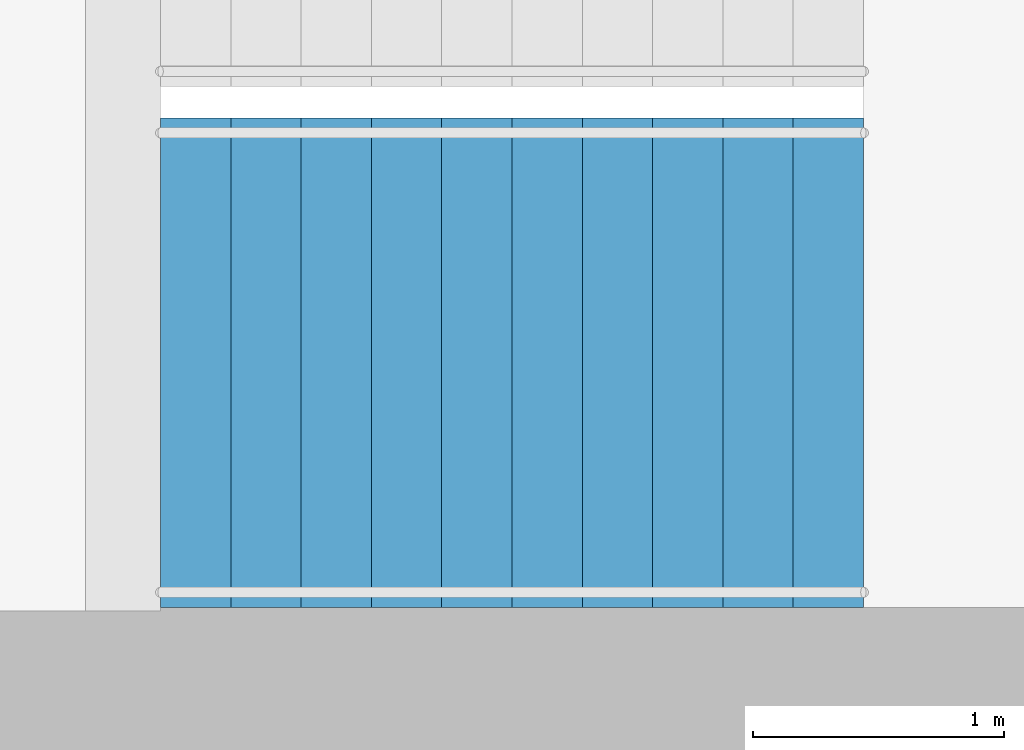
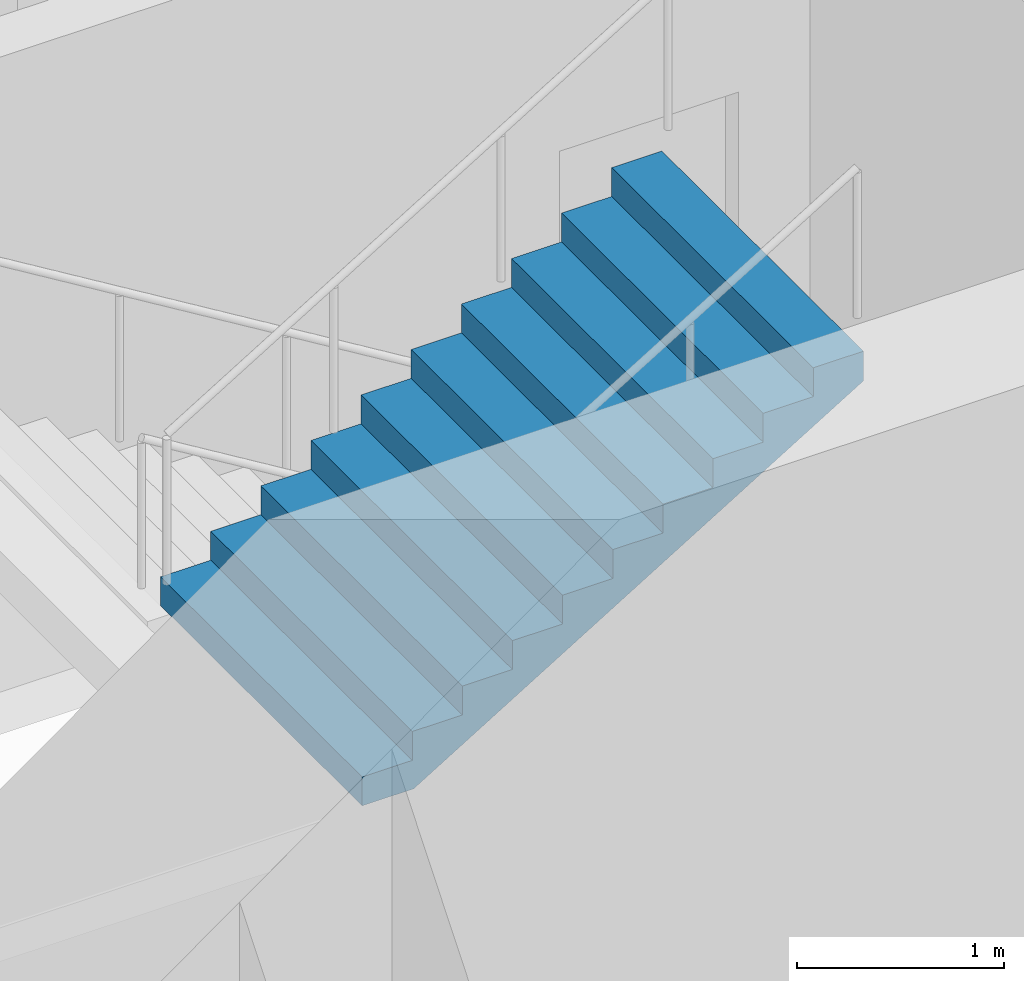
# One storey, part 20 of 22: 1 stair flight, 1 element without a shape of its own.
"""IFC4 building model written with IfcOpenShell, lengths in metres."""

from ifc_helpers import new_model, si_unit, direction, frame, origin, place, context, subcontext, project, spatial, triangles, material, type_object, element, aggregate, save


model = new_model("IFC4")

# Units and contexts
model_context = context("Model", 3, precision=1e-05, world=origin(), true_north=direction((0.0, 1.0)))
body_context = subcontext(model_context, "Body", "Model", "MODEL_VIEW")
ifc_project = project(units=[si_unit("LENGTHUNIT", "METRE"), si_unit("AREAUNIT", "SQUARE_METRE"), si_unit("VOLUMEUNIT", "CUBIC_METRE"), si_unit("PLANEANGLEUNIT", "RADIAN"), si_unit("MASSUNIT", "GRAM", prefix="KILO")], contexts=[model_context])

# Site, building, storey
site_placement = place(None, origin())
site = spatial("IfcSite", under=ifc_project, at=site_placement, CompositionType="ELEMENT")
building_placement = place(site_placement, origin())
building = spatial("IfcBuilding", under=site, at=building_placement, Name="Orbita Commons", CompositionType="ELEMENT")
storey_placement = place(building_placement, frame((0.0, 0.0, 186.10009765625)))
storey = spatial("IfcBuildingStorey", under=building, at=storey_placement, Name="L46", CompositionType="ELEMENT", Elevation=186.10009765625)

# Stair, stair flight
ifc_material_1 = material(Name="Precast concrete C40/50", Category="concrete")
stair_type = type_object("IfcStairType", Name="Exit stair S2 2 flights 11 risers 170", PredefinedType="HALF_TURN_STAIR", material=ifc_material_1)
stair_placement = place(storey_placement, origin())
stair = element("IfcStair", 1, at=stair_placement, inside=storey, type_object=stair_type, Name="Exit stair S2 L46", PredefinedType="HALF_TURN_STAIR")
ifc_material_2 = material(Name="Precast concrete C40/50", Category="concrete")
stair_flight_type = type_object("IfcStairFlightType", Name="Stair flight 11 risers 170 x 280", PredefinedType="STRAIGHT", material=ifc_material_2)
stair_flight_placement = place(storey_placement, frame((60.75, 27.199951171875, 1.875), z_axis=(0.0, 0.0, 1.0), x_axis=(1.0, 0.0, 0.0)))
stair_flight = element("IfcStairFlight", 2, at=stair_flight_placement, type_object=stair_flight_type, Name="S2 flight 2", NumberOfRisers=11, NumberOfTreads=10, PredefinedType="STRAIGHT", RiserHeight=0.170454545, TreadLength=0.28, context=body_context, shape_type="Tessellation", body=[
    triangles([(0.0, 0.974976, 0.0), (0.0, 0.974976, 0.021307), (0.0, 0.81248, 0.021307), (0.0, 0.81248, 0.0), (0.0, 0.649984, 0.021307), (0.0, 0.649984, 0.0), (0.0, 0.487488, 0.021307), (0.0, 0.487488, 0.0), (0.0, 0.324992, 0.021307), (0.0, 0.324992, 0.0), (0.0, 0.162496, 0.021307), (0.0, 0.162496, 0.0), (0.0, 0.0, 0.021307), (0.0, 0.0, 0.0), (0.0, -0.162496, 0.021307), (0.0, -0.162496, 0.0), (0.0, -0.324992, 0.021307), (0.0, -0.324992, 0.0), (0.0, -0.487488, 0.021307), (0.0, -0.487488, 0.0), (0.0, -0.649984, 0.021307), (0.0, -0.649984, 0.0), (0.0, -0.81248, 0.021307), (0.0, -0.81248, 0.0), (0.0, -0.974976, 0.021307), (0.0, -0.974976, 0.0), (0.0, 0.974976, 0.042614), (0.0, 0.81248, 0.042614), (0.0, 0.649984, 0.042614), (0.0, 0.487488, 0.042614), (0.0, 0.324992, 0.042614), (0.0, 0.162496, 0.042614), (0.0, 0.0, 0.042614), (0.0, -0.162496, 0.042614), (0.0, -0.324992, 0.042614), (0.0, -0.487488, 0.042614), (0.0, -0.649984, 0.042614), (0.0, -0.81248, 0.042614), (0.0, -0.974976, 0.042614), (0.0, 0.974976, 0.06392), (0.0, 0.81248, 0.06392), (0.0, 0.649984, 0.06392), (0.0, 0.487488, 0.06392), (0.0, 0.324992, 0.06392), (0.0, 0.162496, 0.06392), (0.0, 0.0, 0.06392), (0.0, -0.162496, 0.06392), (0.0, -0.324992, 0.06392), (0.0, -0.487488, 0.06392), (0.0, -0.649984, 0.06392), (0.0, -0.81248, 0.06392), (0.0, -0.974976, 0.06392), (0.0, 0.974976, 0.085227), (0.0, 0.81248, 0.085227), (0.0, 0.649984, 0.085227), (0.0, 0.487488, 0.085227), (0.0, 0.324992, 0.085227), (0.0, 0.162496, 0.085227), (0.0, 0.0, 0.085227), (0.0, -0.162496, 0.085227), (0.0, -0.324992, 0.085227), (0.0, -0.487488, 0.085227), (0.0, -0.649984, 0.085227), (0.0, -0.81248, 0.085227), (0.0, -0.974976, 0.085227), (0.0, 0.974976, 0.106534), (0.0, 0.81248, 0.106534), (0.0, 0.649984, 0.106534), (0.0, 0.487488, 0.106534), (0.0, 0.324992, 0.106534), (0.0, 0.162496, 0.106534), (0.0, 0.0, 0.106534), (0.0, -0.162496, 0.106534), (0.0, -0.324992, 0.106534), (0.0, -0.487488, 0.106534), (0.0, -0.649984, 0.106534), (0.0, -0.81248, 0.106534), (0.0, -0.974976, 0.106534), (0.0, 0.974976, 0.127841), (0.0, 0.81248, 0.127841), (0.0, 0.649984, 0.127841), (0.0, 0.487488, 0.127841), (0.0, 0.324992, 0.127841), (0.0, 0.162496, 0.127841), (0.0, 0.0, 0.127841), (0.0, -0.162496, 0.127841), (0.0, -0.324992, 0.127841), (0.0, -0.487488, 0.127841), (0.0, -0.649984, 0.127841), (0.0, -0.81248, 0.127841), (0.0, -0.974976, 0.127841), (0.0, 0.974976, 0.149148), (0.0, 0.81248, 0.149148), (0.0, 0.649984, 0.149148), (0.0, 0.487488, 0.149148), (0.0, 0.324992, 0.149148), (0.0, 0.162496, 0.149148), (0.0, 0.0, 0.149148), (0.0, -0.162496, 0.149148), (0.0, -0.324992, 0.149148), (0.0, -0.487488, 0.149148), (0.0, -0.649984, 0.149148), (0.0, -0.81248, 0.149148), (0.0, -0.974976, 0.149148), (0.0, 0.974976, 0.170455), (0.0, 0.81248, 0.170455), (0.0, 0.649984, 0.170455), (0.0, 0.487488, 0.170455), (0.0, 0.324992, 0.170455), (0.0, 0.162496, 0.170455), (0.0, 0.0, 0.170455), (0.0, -0.162496, 0.170455), (0.0, -0.324992, 0.170455), (0.0, -0.487488, 0.170455), (0.0, -0.649984, 0.170455), (0.0, -0.81248, 0.170455), (0.0, -0.974976, 0.170455), (0.28, 0.974976, 0.170455), (0.28, 0.81248, 0.170455), (0.28, 0.649984, 0.170455), (0.28, 0.487488, 0.170455), (0.28, 0.324992, 0.170455), (0.28, 0.162496, 0.170455), (0.28, 0.0, 0.170455), (0.28, -0.162496, 0.170455), (0.28, -0.324992, 0.170455), (0.28, -0.487488, 0.170455), (0.28, -0.649984, 0.170455), (0.28, -0.81248, 0.170455), (0.28, -0.974976, 0.170455), (0.28, 0.974976, 0.340909), (0.28, 0.81248, 0.340909), (0.28, 0.649984, 0.340909), (0.28, 0.487488, 0.340909), (0.28, 0.324992, 0.340909), (0.28, 0.162496, 0.340909), (0.28, 0.0, 0.340909), (0.28, -0.162496, 0.340909), (0.28, -0.324992, 0.340909), (0.28, -0.487488, 0.340909), (0.28, -0.649984, 0.340909), (0.28, -0.81248, 0.340909), (0.28, -0.974976, 0.340909), (0.56, 0.974976, 0.340909), (0.56, 0.81248, 0.340909), (0.56, 0.649984, 0.340909), (0.56, 0.487488, 0.340909), (0.56, 0.324992, 0.340909), (0.56, 0.162496, 0.340909), (0.56, 0.0, 0.340909), (0.56, -0.162496, 0.340909), (0.56, -0.324992, 0.340909), (0.56, -0.487488, 0.340909), (0.56, -0.649984, 0.340909), (0.56, -0.81248, 0.340909), (0.56, -0.974976, 0.340909), (0.56, 0.974976, 0.511364), (0.56, 0.81248, 0.511364), (0.56, 0.649984, 0.511364), (0.56, 0.487488, 0.511364), (0.56, 0.324992, 0.511364), (0.56, 0.162496, 0.511364), (0.56, 0.0, 0.511364), (0.56, -0.162496, 0.511364), (0.56, -0.324992, 0.511364), (0.56, -0.487488, 0.511364), (0.56, -0.649984, 0.511364), (0.56, -0.81248, 0.511364), (0.56, -0.974976, 0.511364), (0.84, 0.974976, 0.511364), (0.84, 0.81248, 0.511364), (0.84, 0.649984, 0.511364), (0.84, 0.487488, 0.511364), (0.84, 0.324992, 0.511364), (0.84, 0.162496, 0.511364), (0.84, 0.0, 0.511364), (0.84, -0.162496, 0.511364), (0.84, -0.324992, 0.511364), (0.84, -0.487488, 0.511364), (0.84, -0.649984, 0.511364), (0.84, -0.81248, 0.511364), (0.84, -0.974976, 0.511364), (0.84, 0.974976, 0.681818), (0.84, 0.81248, 0.681818), (0.84, 0.649984, 0.681818), (0.84, 0.487488, 0.681818), (0.84, 0.324992, 0.681818), (0.84, 0.162496, 0.681818), (0.84, 0.0, 0.681818), (0.84, -0.162496, 0.681818), (0.84, -0.324992, 0.681818), (0.84, -0.487488, 0.681818), (0.84, -0.649984, 0.681818), (0.84, -0.81248, 0.681818), (0.84, -0.974976, 0.681818), (1.12, 0.974976, 0.681818), (1.12, 0.81248, 0.681818), (1.12, 0.649984, 0.681818), (1.12, 0.487488, 0.681818), (1.12, 0.324992, 0.681818), (1.12, 0.162496, 0.681818), (1.12, 0.0, 0.681818), (1.12, -0.162496, 0.681818), (1.12, -0.324992, 0.681818), (1.12, -0.487488, 0.681818), (1.12, -0.649984, 0.681818), (1.12, -0.81248, 0.681818), (1.12, -0.974976, 0.681818), (1.12, 0.974976, 0.852273), (1.12, 0.81248, 0.852273), (1.12, 0.649984, 0.852273), (1.12, 0.487488, 0.852273), (1.12, 0.324992, 0.852273), (1.12, 0.162496, 0.852273), (1.12, 0.0, 0.852273), (1.12, -0.162496, 0.852273), (1.12, -0.324992, 0.852273), (1.12, -0.487488, 0.852273), (1.12, -0.649984, 0.852273), (1.12, -0.81248, 0.852273), (1.12, -0.974976, 0.852273), (1.4, 0.974976, 0.852273), (1.4, 0.81248, 0.852273), (1.4, 0.649984, 0.852273), (1.4, 0.487488, 0.852273), (1.4, 0.324992, 0.852273), (1.4, 0.162496, 0.852273), (1.4, 0.0, 0.852273), (1.4, -0.162496, 0.852273), (1.4, -0.324992, 0.852273), (1.4, -0.487488, 0.852273), (1.4, -0.649984, 0.852273), (1.4, -0.81248, 0.852273), (1.4, -0.974976, 0.852273), (1.4, 0.974976, 1.022727), (1.4, 0.81248, 1.022727), (1.4, 0.649984, 1.022727), (1.4, 0.487488, 1.022727), (1.4, 0.324992, 1.022727), (1.4, 0.162496, 1.022727), (1.4, 0.0, 1.022727), (1.4, -0.162496, 1.022727), (1.4, -0.324992, 1.022727), (1.4, -0.487488, 1.022727), (1.4, -0.649984, 1.022727), (1.4, -0.81248, 1.022727), (1.4, -0.974976, 1.022727), (1.68, 0.974976, 1.022727), (1.68, 0.81248, 1.022727), (1.68, 0.649984, 1.022727), (1.68, 0.487488, 1.022727), (1.68, 0.324992, 1.022727), (1.68, 0.162496, 1.022727), (1.68, 0.0, 1.022727), (1.68, -0.162496, 1.022727), (1.68, -0.324992, 1.022727), (1.68, -0.487488, 1.022727), (1.68, -0.649984, 1.022727), (1.68, -0.81248, 1.022727), (1.68, -0.974976, 1.022727), (1.68, 0.974976, 1.193182), (1.68, 0.81248, 1.193182), (1.68, 0.649984, 1.193182), (1.68, 0.487488, 1.193182), (1.68, 0.324992, 1.193182), (1.68, 0.162496, 1.193182), (1.68, 0.0, 1.193182), (1.68, -0.162496, 1.193182), (1.68, -0.324992, 1.193182), (1.68, -0.487488, 1.193182), (1.68, -0.649984, 1.193182), (1.68, -0.81248, 1.193182), (1.68, -0.974976, 1.193182), (1.96, 0.974976, 1.193182), (1.96, 0.81248, 1.193182), (1.96, 0.649984, 1.193182), (1.96, 0.487488, 1.193182), (1.96, 0.324992, 1.193182), (1.96, 0.162496, 1.193182), (1.96, 0.0, 1.193182), (1.96, -0.162496, 1.193182), (1.96, -0.324992, 1.193182), (1.96, -0.487488, 1.193182), (1.96, -0.649984, 1.193182), (1.96, -0.81248, 1.193182), (1.96, -0.974976, 1.193182), (1.96, 0.974976, 1.363636), (1.96, 0.81248, 1.363636), (1.96, 0.649984, 1.363636), (1.96, 0.487488, 1.363636), (1.96, 0.324992, 1.363636), (1.96, 0.162496, 1.363636), (1.96, 0.0, 1.363636), (1.96, -0.162496, 1.363636), (1.96, -0.324992, 1.363636), (1.96, -0.487488, 1.363636), (1.96, -0.649984, 1.363636), (1.96, -0.81248, 1.363636), (1.96, -0.974976, 1.363636), (2.24, 0.974976, 1.363636), (2.24, 0.81248, 1.363636), (2.24, 0.649984, 1.363636), (2.24, 0.487488, 1.363636), (2.24, 0.324992, 1.363636), (2.24, 0.162496, 1.363636), (2.24, 0.0, 1.363636), (2.24, -0.162496, 1.363636), (2.24, -0.324992, 1.363636), (2.24, -0.487488, 1.363636), (2.24, -0.649984, 1.363636), (2.24, -0.81248, 1.363636), (2.24, -0.974976, 1.363636), (2.24, 0.974976, 1.534091), (2.24, 0.81248, 1.534091), (2.24, 0.649984, 1.534091), (2.24, 0.487488, 1.534091), (2.24, 0.324992, 1.534091), (2.24, 0.162496, 1.534091), (2.24, 0.0, 1.534091), (2.24, -0.162496, 1.534091), (2.24, -0.324992, 1.534091), (2.24, -0.487488, 1.534091), (2.24, -0.649984, 1.534091), (2.24, -0.81248, 1.534091), (2.24, -0.974976, 1.534091), (2.52, 0.974976, 1.534091), (2.52, 0.81248, 1.534091), (2.52, 0.649984, 1.534091), (2.52, 0.487488, 1.534091), (2.52, 0.324992, 1.534091), (2.52, 0.162496, 1.534091), (2.52, 0.0, 1.534091), (2.52, -0.162496, 1.534091), (2.52, -0.324992, 1.534091), (2.52, -0.487488, 1.534091), (2.52, -0.649984, 1.534091), (2.52, -0.81248, 1.534091), (2.52, -0.974976, 1.534091), (2.52, 0.974976, 1.704545), (2.52, 0.81248, 1.704545), (2.52, 0.649984, 1.704545), (2.52, 0.487488, 1.704545), (2.52, 0.324992, 1.704545), (2.52, 0.162496, 1.704545), (2.52, 0.0, 1.704545), (2.52, -0.162496, 1.704545), (2.52, -0.324992, 1.704545), (2.52, -0.487488, 1.704545), (2.52, -0.649984, 1.704545), (2.52, -0.81248, 1.704545), (2.52, -0.974976, 1.704545), (2.8, 0.974976, 1.704545), (2.8, 0.81248, 1.704545), (2.8, 0.649984, 1.704545), (2.8, 0.487488, 1.704545), (2.8, 0.324992, 1.704545), (2.8, 0.162496, 1.704545), (2.8, 0.0, 1.704545), (2.8, -0.162496, 1.704545), (2.8, -0.324992, 1.704545), (2.8, -0.487488, 1.704545), (2.8, -0.649984, 1.704545), (2.8, -0.81248, 1.704545), (2.8, -0.974976, 1.704545), (2.8, 0.974976, 1.682609), (2.8, 0.81248, 1.682609), (2.8, 0.649984, 1.682609), (2.8, 0.487488, 1.682609), (2.8, 0.324992, 1.682609), (2.8, 0.162496, 1.682609), (2.8, 0.0, 1.682609), (2.8, -0.162496, 1.682609), (2.8, -0.324992, 1.682609), (2.8, -0.487488, 1.682609), (2.8, -0.649984, 1.682609), (2.8, -0.81248, 1.682609), (2.8, -0.974976, 1.682609), (2.8, 0.974976, 1.660672), (2.8, 0.81248, 1.660672), (2.8, 0.649984, 1.660672), (2.8, 0.487488, 1.660672), (2.8, 0.324992, 1.660672), (2.8, 0.162496, 1.660672), (2.8, 0.0, 1.660672), (2.8, -0.162496, 1.660672), (2.8, -0.324992, 1.660672), (2.8, -0.487488, 1.660672), (2.8, -0.649984, 1.660672), (2.8, -0.81248, 1.660672), (2.8, -0.974976, 1.660672), (2.8, 0.974976, 1.638735), (2.8, 0.81248, 1.638735), (2.8, 0.649984, 1.638735), (2.8, 0.487488, 1.638735), (2.8, 0.324992, 1.638735), (2.8, 0.162496, 1.638735), (2.8, 0.0, 1.638735), (2.8, -0.162496, 1.638735), (2.8, -0.324992, 1.638735), (2.8, -0.487488, 1.638735), (2.8, -0.649984, 1.638735), (2.8, -0.81248, 1.638735), (2.8, -0.974976, 1.638735), (2.8, 0.974976, 1.616798), (2.8, 0.81248, 1.616798), (2.8, 0.649984, 1.616798), (2.8, 0.487488, 1.616798), (2.8, 0.324992, 1.616798), (2.8, 0.162496, 1.616798), (2.8, 0.0, 1.616798), (2.8, -0.162496, 1.616798), (2.8, -0.324992, 1.616798), (2.8, -0.487488, 1.616798), (2.8, -0.649984, 1.616798), (2.8, -0.81248, 1.616798), (2.8, -0.974976, 1.616798), (2.8, 0.974976, 1.594861), (2.8, 0.81248, 1.594861), (2.8, 0.649984, 1.594861), (2.8, 0.487488, 1.594861), (2.8, 0.324992, 1.594861), (2.8, 0.162496, 1.594861), (2.8, 0.0, 1.594861), (2.8, -0.162496, 1.594861), (2.8, -0.324992, 1.594861), (2.8, -0.487488, 1.594861), (2.8, -0.649984, 1.594861), (2.8, -0.81248, 1.594861), (2.8, -0.974976, 1.594861), (2.8, 0.974976, 1.572925), (2.8, 0.81248, 1.572925), (2.8, 0.649984, 1.572925), (2.8, 0.487488, 1.572925), (2.8, 0.324992, 1.572925), (2.8, 0.162496, 1.572925), (2.8, 0.0, 1.572925), (2.8, -0.162496, 1.572925), (2.8, -0.324992, 1.572925), (2.8, -0.487488, 1.572925), (2.8, -0.649984, 1.572925), (2.8, -0.81248, 1.572925), (2.8, -0.974976, 1.572925), (2.8, 0.974976, 1.550988), (2.8, 0.81248, 1.550988), (2.8, 0.649984, 1.550988), (2.8, 0.487488, 1.550988), (2.8, 0.324992, 1.550988), (2.8, 0.162496, 1.550988), (2.8, 0.0, 1.550988), (2.8, -0.162496, 1.550988), (2.8, -0.324992, 1.550988), (2.8, -0.487488, 1.550988), (2.8, -0.649984, 1.550988), (2.8, -0.81248, 1.550988), (2.8, -0.974976, 1.550988), (2.8, 0.974976, 1.529051), (2.8, 0.81248, 1.529051), (2.8, 0.649984, 1.529051), (2.8, 0.487488, 1.529051), (2.8, 0.324992, 1.529051), (2.8, 0.162496, 1.529051), (2.8, 0.0, 1.529051), (2.8, -0.162496, 1.529051), (2.8, -0.324992, 1.529051), (2.8, -0.487488, 1.529051), (2.8, -0.649984, 1.529051), (2.8, -0.81248, 1.529051), (2.8, -0.974976, 1.529051), (0.288279, 0.974976, 0.0), (0.288279, 0.81248, 0.0), (0.288279, 0.649984, 0.0), (0.288279, 0.487488, 0.0), (0.288279, 0.324992, 0.0), (0.288279, 0.162496, 0.0), (0.288279, 0.0, 0.0), (0.288279, -0.162496, 0.0), (0.288279, -0.324992, 0.0), (0.288279, -0.487488, 0.0), (0.288279, -0.649984, 0.0), (0.288279, -0.81248, 0.0), (0.288279, -0.974976, 0.0)], [[3, 2, 1], [4, 3, 1], [5, 3, 4], [6, 5, 4], [7, 5, 6], [8, 7, 6], [9, 7, 8], [10, 9, 8], [11, 9, 10], [12, 11, 10], [13, 11, 12], [14, 13, 12], [15, 13, 14], [16, 15, 14], [17, 15, 16], [18, 17, 16], [19, 17, 18], [20, 19, 18], [21, 19, 20], [22, 21, 20], [23, 21, 22], [24, 23, 22], [25, 23, 24], [26, 25, 24], [28, 27, 2], [3, 28, 2], [29, 28, 3], [5, 29, 3], [30, 29, 5], [7, 30, 5], [31, 30, 7], [9, 31, 7], [32, 31, 9], [11, 32, 9], [33, 32, 11], [13, 33, 11], [34, 33, 13], [15, 34, 13], [35, 34, 15], [17, 35, 15], [36, 35, 17], [19, 36, 17], [37, 36, 19], [21, 37, 19], [38, 37, 21], [23, 38, 21], [39, 38, 23], [25, 39, 23], [41, 40, 27], [28, 41, 27], [42, 41, 28], [29, 42, 28], [43, 42, 29], [30, 43, 29], [44, 43, 30], [31, 44, 30], [45, 44, 31], [32, 45, 31], [46, 45, 32], [33, 46, 32], [47, 46, 33], [34, 47, 33], [48, 47, 34], [35, 48, 34], [49, 48, 35], [36, 49, 35], [50, 49, 36], [37, 50, 36], [51, 50, 37], [38, 51, 37], [52, 51, 38], [39, 52, 38], [54, 53, 40], [41, 54, 40], [55, 54, 41], [42, 55, 41], [56, 55, 42], [43, 56, 42], [57, 56, 43], [44, 57, 43], [58, 57, 44], [45, 58, 44], [59, 58, 45], [46, 59, 45], [60, 59, 46], [47, 60, 46], [61, 60, 47], [48, 61, 47], [62, 61, 48], [49, 62, 48], [63, 62, 49], [50, 63, 49], [64, 63, 50], [51, 64, 50], [65, 64, 51], [52, 65, 51], [67, 66, 53], [54, 67, 53], [68, 67, 54], [55, 68, 54], [69, 68, 55], [56, 69, 55], [70, 69, 56], [57, 70, 56], [71, 70, 57], [58, 71, 57], [72, 71, 58], [59, 72, 58], [73, 72, 59], [60, 73, 59], [74, 73, 60], [61, 74, 60], [75, 74, 61], [62, 75, 61], [76, 75, 62], [63, 76, 62], [77, 76, 63], [64, 77, 63], [78, 77, 64], [65, 78, 64], [80, 79, 66], [67, 80, 66], [81, 80, 67], [68, 81, 67], [82, 81, 68], [69, 82, 68], [83, 82, 69], [70, 83, 69], [84, 83, 70], [71, 84, 70], [85, 84, 71], [72, 85, 71], [86, 85, 72], [73, 86, 72], [87, 86, 73], [74, 87, 73], [88, 87, 74], [75, 88, 74], [89, 88, 75], [76, 89, 75], [90, 89, 76], [77, 90, 76], [91, 90, 77], [78, 91, 77], [93, 92, 79], [80, 93, 79], [94, 93, 80], [81, 94, 80], [95, 94, 81], [82, 95, 81], [96, 95, 82], [83, 96, 82], [97, 96, 83], [84, 97, 83], [98, 97, 84], [85, 98, 84], [99, 98, 85], [86, 99, 85], [100, 99, 86], [87, 100, 86], [101, 100, 87], [88, 101, 87], [102, 101, 88], [89, 102, 88], [103, 102, 89], [90, 103, 89], [104, 103, 90], [91, 104, 90], [106, 105, 92], [93, 106, 92], [107, 106, 93], [94, 107, 93], [108, 107, 94], [95, 108, 94], [109, 108, 95], [96, 109, 95], [110, 109, 96], [97, 110, 96], [111, 110, 97], [98, 111, 97], [112, 111, 98], [99, 112, 98], [113, 112, 99], [100, 113, 99], [114, 113, 100], [101, 114, 100], [115, 114, 101], [102, 115, 101], [116, 115, 102], [103, 116, 102], [117, 116, 103], [104, 117, 103], [119, 118, 105], [106, 119, 105], [120, 119, 106], [107, 120, 106], [121, 120, 107], [108, 121, 107], [122, 121, 108], [109, 122, 108], [123, 122, 109], [110, 123, 109], [124, 123, 110], [111, 124, 110], [125, 124, 111], [112, 125, 111], [126, 125, 112], [113, 126, 112], [127, 126, 113], [114, 127, 113], [128, 127, 114], [115, 128, 114], [129, 128, 115], [116, 129, 115], [130, 129, 116], [117, 130, 116], [132, 131, 118], [119, 132, 118], [133, 132, 119], [120, 133, 119], [134, 133, 120], [121, 134, 120], [135, 134, 121], [122, 135, 121], [136, 135, 122], [123, 136, 122], [137, 136, 123], [124, 137, 123], [138, 137, 124], [125, 138, 124], [139, 138, 125], [126, 139, 125], [140, 139, 126], [127, 140, 126], [141, 140, 127], [128, 141, 127], [142, 141, 128], [129, 142, 128], [143, 142, 129], [130, 143, 129], [145, 144, 131], [132, 145, 131], [146, 145, 132], [133, 146, 132], [147, 146, 133], [134, 147, 133], [148, 147, 134], [135, 148, 134], [149, 148, 135], [136, 149, 135], [150, 149, 136], [137, 150, 136], [151, 150, 137], [138, 151, 137], [152, 151, 138], [139, 152, 138], [153, 152, 139], [140, 153, 139], [154, 153, 140], [141, 154, 140], [155, 154, 141], [142, 155, 141], [156, 155, 142], [143, 156, 142], [158, 157, 144], [145, 158, 144], [159, 158, 145], [146, 159, 145], [160, 159, 146], [147, 160, 146], [161, 160, 147], [148, 161, 147], [162, 161, 148], [149, 162, 148], [163, 162, 149], [150, 163, 149], [164, 163, 150], [151, 164, 150], [165, 164, 151], [152, 165, 151], [166, 165, 152], [153, 166, 152], [167, 166, 153], [154, 167, 153], [168, 167, 154], [155, 168, 154], [169, 168, 155], [156, 169, 155], [171, 170, 157], [158, 171, 157], [172, 171, 158], [159, 172, 158], [173, 172, 159], [160, 173, 159], [174, 173, 160], [161, 174, 160], [175, 174, 161], [162, 175, 161], [176, 175, 162], [163, 176, 162], [177, 176, 163], [164, 177, 163], [178, 177, 164], [165, 178, 164], [179, 178, 165], [166, 179, 165], [180, 179, 166], [167, 180, 166], [181, 180, 167], [168, 181, 167], [182, 181, 168], [169, 182, 168], [184, 183, 170], [171, 184, 170], [185, 184, 171], [172, 185, 171], [186, 185, 172], [173, 186, 172], [187, 186, 173], [174, 187, 173], [188, 187, 174], [175, 188, 174], [189, 188, 175], [176, 189, 175], [190, 189, 176], [177, 190, 176], [191, 190, 177], [178, 191, 177], [192, 191, 178], [179, 192, 178], [193, 192, 179], [180, 193, 179], [194, 193, 180], [181, 194, 180], [195, 194, 181], [182, 195, 181], [197, 196, 183], [184, 197, 183], [198, 197, 184], [185, 198, 184], [199, 198, 185], [186, 199, 185], [200, 199, 186], [187, 200, 186], [201, 200, 187], [188, 201, 187], [202, 201, 188], [189, 202, 188], [203, 202, 189], [190, 203, 189], [204, 203, 190], [191, 204, 190], [205, 204, 191], [192, 205, 191], [206, 205, 192], [193, 206, 192], [207, 206, 193], [194, 207, 193], [208, 207, 194], [195, 208, 194], [210, 209, 196], [197, 210, 196], [211, 210, 197], [198, 211, 197], [212, 211, 198], [199, 212, 198], [213, 212, 199], [200, 213, 199], [214, 213, 200], [201, 214, 200], [215, 214, 201], [202, 215, 201], [216, 215, 202], [203, 216, 202], [217, 216, 203], [204, 217, 203], [218, 217, 204], [205, 218, 204], [219, 218, 205], [206, 219, 205], [220, 219, 206], [207, 220, 206], [221, 220, 207], [208, 221, 207], [223, 222, 209], [210, 223, 209], [224, 223, 210], [211, 224, 210], [225, 224, 211], [212, 225, 211], [226, 225, 212], [213, 226, 212], [227, 226, 213], [214, 227, 213], [228, 227, 214], [215, 228, 214], [229, 228, 215], [216, 229, 215], [230, 229, 216], [217, 230, 216], [231, 230, 217], [218, 231, 217], [232, 231, 218], [219, 232, 218], [233, 232, 219], [220, 233, 219], [234, 233, 220], [221, 234, 220], [236, 235, 222], [223, 236, 222], [237, 236, 223], [224, 237, 223], [238, 237, 224], [225, 238, 224], [239, 238, 225], [226, 239, 225], [240, 239, 226], [227, 240, 226], [241, 240, 227], [228, 241, 227], [242, 241, 228], [229, 242, 228], [243, 242, 229], [230, 243, 229], [244, 243, 230], [231, 244, 230], [245, 244, 231], [232, 245, 231], [246, 245, 232], [233, 246, 232], [247, 246, 233], [234, 247, 233], [249, 248, 235], [236, 249, 235], [250, 249, 236], [237, 250, 236], [251, 250, 237], [238, 251, 237], [252, 251, 238], [239, 252, 238], [253, 252, 239], [240, 253, 239], [254, 253, 240], [241, 254, 240], [255, 254, 241], [242, 255, 241], [256, 255, 242], [243, 256, 242], [257, 256, 243], [244, 257, 243], [258, 257, 244], [245, 258, 244], [259, 258, 245], [246, 259, 245], [260, 259, 246], [247, 260, 246], [262, 261, 248], [249, 262, 248], [263, 262, 249], [250, 263, 249], [264, 263, 250], [251, 264, 250], [265, 264, 251], [252, 265, 251], [266, 265, 252], [253, 266, 252], [267, 266, 253], [254, 267, 253], [268, 267, 254], [255, 268, 254], [269, 268, 255], [256, 269, 255], [270, 269, 256], [257, 270, 256], [271, 270, 257], [258, 271, 257], [272, 271, 258], [259, 272, 258], [273, 272, 259], [260, 273, 259], [275, 274, 261], [262, 275, 261], [276, 275, 262], [263, 276, 262], [277, 276, 263], [264, 277, 263], [278, 277, 264], [265, 278, 264], [279, 278, 265], [266, 279, 265], [280, 279, 266], [267, 280, 266], [281, 280, 267], [268, 281, 267], [282, 281, 268], [269, 282, 268], [283, 282, 269], [270, 283, 269], [284, 283, 270], [271, 284, 270], [285, 284, 271], [272, 285, 271], [286, 285, 272], [273, 286, 272], [288, 287, 274], [275, 288, 274], [289, 288, 275], [276, 289, 275], [290, 289, 276], [277, 290, 276], [291, 290, 277], [278, 291, 277], [292, 291, 278], [279, 292, 278], [293, 292, 279], [280, 293, 279], [294, 293, 280], [281, 294, 280], [295, 294, 281], [282, 295, 281], [296, 295, 282], [283, 296, 282], [297, 296, 283], [284, 297, 283], [298, 297, 284], [285, 298, 284], [299, 298, 285], [286, 299, 285], [301, 300, 287], [288, 301, 287], [302, 301, 288], [289, 302, 288], [303, 302, 289], [290, 303, 289], [304, 303, 290], [291, 304, 290], [305, 304, 291], [292, 305, 291], [306, 305, 292], [293, 306, 292], [307, 306, 293], [294, 307, 293], [308, 307, 294], [295, 308, 294], [309, 308, 295], [296, 309, 295], [310, 309, 296], [297, 310, 296], [311, 310, 297], [298, 311, 297], [312, 311, 298], [299, 312, 298], [314, 313, 300], [301, 314, 300], [315, 314, 301], [302, 315, 301], [316, 315, 302], [303, 316, 302], [317, 316, 303], [304, 317, 303], [318, 317, 304], [305, 318, 304], [319, 318, 305], [306, 319, 305], [320, 319, 306], [307, 320, 306], [321, 320, 307], [308, 321, 307], [322, 321, 308], [309, 322, 308], [323, 322, 309], [310, 323, 309], [324, 323, 310], [311, 324, 310], [325, 324, 311], [312, 325, 311], [327, 326, 313], [314, 327, 313], [328, 327, 314], [315, 328, 314], [329, 328, 315], [316, 329, 315], [330, 329, 316], [317, 330, 316], [331, 330, 317], [318, 331, 317], [332, 331, 318], [319, 332, 318], [333, 332, 319], [320, 333, 319], [334, 333, 320], [321, 334, 320], [335, 334, 321], [322, 335, 321], [336, 335, 322], [323, 336, 322], [337, 336, 323], [324, 337, 323], [338, 337, 324], [325, 338, 324], [340, 339, 326], [327, 340, 326], [341, 340, 327], [328, 341, 327], [342, 341, 328], [329, 342, 328], [343, 342, 329], [330, 343, 329], [344, 343, 330], [331, 344, 330], [345, 344, 331], [332, 345, 331], [346, 345, 332], [333, 346, 332], [347, 346, 333], [334, 347, 333], [348, 347, 334], [335, 348, 334], [349, 348, 335], [336, 349, 335], [350, 349, 336], [337, 350, 336], [351, 350, 337], [338, 351, 337], [353, 352, 339], [340, 353, 339], [354, 353, 340], [341, 354, 340], [355, 354, 341], [342, 355, 341], [356, 355, 342], [343, 356, 342], [357, 356, 343], [344, 357, 343], [358, 357, 344], [345, 358, 344], [359, 358, 345], [346, 359, 345], [360, 359, 346], [347, 360, 346], [361, 360, 347], [348, 361, 347], [362, 361, 348], [349, 362, 348], [363, 362, 349], [350, 363, 349], [364, 363, 350], [351, 364, 350], [366, 365, 352], [353, 366, 352], [367, 366, 353], [354, 367, 353], [368, 367, 354], [355, 368, 354], [369, 368, 355], [356, 369, 355], [370, 369, 356], [357, 370, 356], [371, 370, 357], [358, 371, 357], [372, 371, 358], [359, 372, 358], [373, 372, 359], [360, 373, 359], [374, 373, 360], [361, 374, 360], [375, 374, 361], [362, 375, 361], [376, 375, 362], [363, 376, 362], [377, 376, 363], [364, 377, 363], [379, 378, 365], [366, 379, 365], [380, 379, 366], [367, 380, 366], [381, 380, 367], [368, 381, 367], [382, 381, 368], [369, 382, 368], [383, 382, 369], [370, 383, 369], [384, 383, 370], [371, 384, 370], [385, 384, 371], [372, 385, 371], [386, 385, 372], [373, 386, 372], [387, 386, 373], [374, 387, 373], [388, 387, 374], [375, 388, 374], [389, 388, 375], [376, 389, 375], [390, 389, 376], [377, 390, 376], [392, 391, 378], [379, 392, 378], [393, 392, 379], [380, 393, 379], [394, 393, 380], [381, 394, 380], [395, 394, 381], [382, 395, 381], [396, 395, 382], [383, 396, 382], [397, 396, 383], [384, 397, 383], [398, 397, 384], [385, 398, 384], [399, 398, 385], [386, 399, 385], [400, 399, 386], [387, 400, 386], [401, 400, 387], [388, 401, 387], [402, 401, 388], [389, 402, 388], [403, 402, 389], [390, 403, 389], [405, 404, 391], [392, 405, 391], [406, 405, 392], [393, 406, 392], [407, 406, 393], [394, 407, 393], [408, 407, 394], [395, 408, 394], [409, 408, 395], [396, 409, 395], [410, 409, 396], [397, 410, 396], [411, 410, 397], [398, 411, 397], [412, 411, 398], [399, 412, 398], [413, 412, 399], [400, 413, 399], [414, 413, 400], [401, 414, 400], [415, 414, 401], [402, 415, 401], [416, 415, 402], [403, 416, 402], [418, 417, 404], [405, 418, 404], [419, 418, 405], [406, 419, 405], [420, 419, 406], [407, 420, 406], [421, 420, 407], [408, 421, 407], [422, 421, 408], [409, 422, 408], [423, 422, 409], [410, 423, 409], [424, 423, 410], [411, 424, 410], [425, 424, 411], [412, 425, 411], [426, 425, 412], [413, 426, 412], [427, 426, 413], [414, 427, 413], [428, 427, 414], [415, 428, 414], [429, 428, 415], [416, 429, 415], [431, 430, 417], [418, 431, 417], [432, 431, 418], [419, 432, 418], [433, 432, 419], [420, 433, 419], [434, 433, 420], [421, 434, 420], [435, 434, 421], [422, 435, 421], [436, 435, 422], [423, 436, 422], [437, 436, 423], [424, 437, 423], [438, 437, 424], [425, 438, 424], [439, 438, 425], [426, 439, 425], [440, 439, 426], [427, 440, 426], [441, 440, 427], [428, 441, 427], [442, 441, 428], [429, 442, 428], [444, 443, 430], [431, 444, 430], [445, 444, 431], [432, 445, 431], [446, 445, 432], [433, 446, 432], [447, 446, 433], [434, 447, 433], [448, 447, 434], [435, 448, 434], [449, 448, 435], [436, 449, 435], [450, 449, 436], [437, 450, 436], [451, 450, 437], [438, 451, 437], [452, 451, 438], [439, 452, 438], [453, 452, 439], [440, 453, 439], [454, 453, 440], [441, 454, 440], [455, 454, 441], [442, 455, 441], [457, 456, 443], [444, 457, 443], [458, 457, 444], [445, 458, 444], [459, 458, 445], [446, 459, 445], [460, 459, 446], [447, 460, 446], [461, 460, 447], [448, 461, 447], [462, 461, 448], [449, 462, 448], [463, 462, 449], [450, 463, 449], [464, 463, 450], [451, 464, 450], [465, 464, 451], [452, 465, 451], [466, 465, 452], [453, 466, 452], [467, 466, 453], [454, 467, 453], [468, 467, 454], [455, 468, 454], [470, 469, 456], [457, 470, 456], [471, 470, 457], [458, 471, 457], [472, 471, 458], [459, 472, 458], [473, 472, 459], [460, 473, 459], [474, 473, 460], [461, 474, 460], [475, 474, 461], [462, 475, 461], [476, 475, 462], [463, 476, 462], [477, 476, 463], [464, 477, 463], [478, 477, 464], [465, 478, 464], [479, 478, 465], [466, 479, 465], [480, 479, 466], [467, 480, 466], [481, 480, 467], [468, 481, 467], [4, 1, 469], [470, 4, 469], [6, 4, 470], [471, 6, 470], [8, 6, 471], [472, 8, 471], [10, 8, 472], [473, 10, 472], [12, 10, 473], [474, 12, 473], [14, 12, 474], [475, 14, 474], [16, 14, 475], [476, 16, 475], [18, 16, 476], [477, 18, 476], [20, 18, 477], [478, 20, 477], [22, 20, 478], [479, 22, 478], [24, 22, 479], [480, 24, 479], [26, 24, 480], [481, 26, 480], [456, 469, 1], [26, 481, 468], [443, 456, 1], [26, 468, 455], [430, 443, 1], [26, 455, 442], [417, 430, 1], [26, 442, 429], [404, 417, 1], [26, 429, 416], [391, 404, 1], [26, 416, 403], [378, 391, 1], [26, 403, 390], [365, 378, 1], [26, 390, 377], [339, 352, 365], [377, 364, 351], [326, 339, 365], [377, 351, 338], [300, 313, 326], [338, 325, 312], [300, 326, 365], [377, 338, 312], [274, 287, 300], [312, 299, 286], [274, 300, 365], [377, 312, 286], [248, 261, 274], [286, 273, 260], [248, 274, 365], [377, 286, 260], [222, 235, 248], [260, 247, 234], [222, 248, 365], [377, 260, 234], [196, 209, 222], [234, 221, 208], [196, 222, 365], [377, 234, 208], [170, 183, 196], [208, 195, 182], [170, 196, 365], [377, 208, 182], [144, 157, 170], [182, 169, 156], [144, 170, 365], [377, 182, 156], [118, 131, 144], [156, 143, 130], [118, 144, 365], [377, 156, 130], [118, 365, 1], [26, 377, 130], [92, 105, 118], [130, 117, 104], [79, 92, 118], [130, 104, 91], [66, 79, 118], [130, 91, 78], [53, 66, 118], [130, 78, 65], [40, 53, 118], [130, 65, 52], [27, 40, 118], [130, 52, 39], [2, 27, 118], [130, 39, 25], [1, 2, 118], [130, 25, 26]], closed=True),
])
aggregate(stair, [stair_flight])

save(model, "model.ifc")
